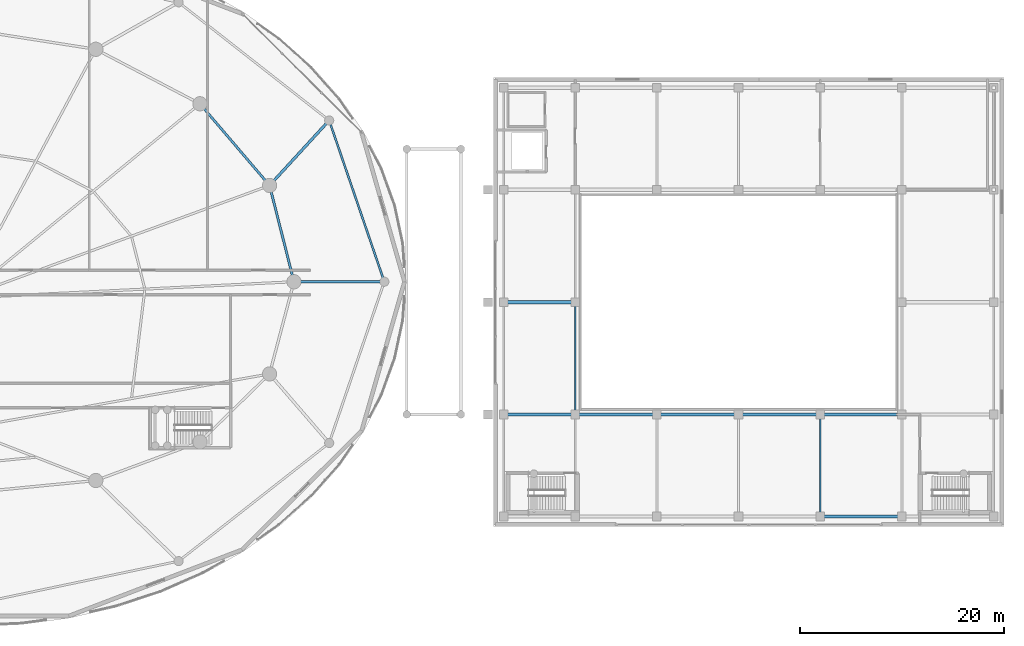
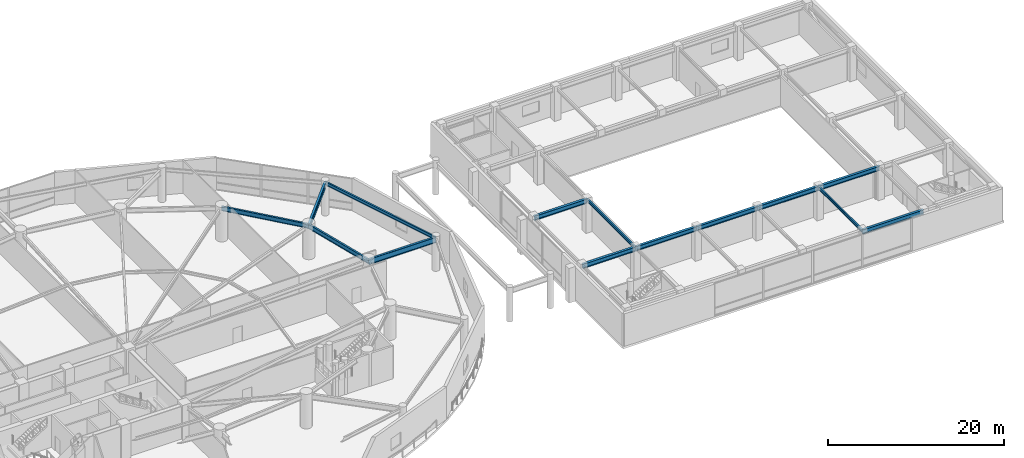
# One storey, part 15 of 40: 14 beams.
"""IFC4 building model written with IfcOpenShell, lengths in metres."""

from ifc_helpers import new_model, si_unit, direction, frame, origin, origin_2d, place, context, subcontext, project, spatial, i_section, extrude, material, material_profile, profile_set, type_object, element, save


model = new_model("IFC4")

# Units and contexts
model_context = context("Model", 3, precision=1e-05, world=origin(), true_north=direction((0.0, 1.0)))
body_context = subcontext(model_context, "Body", "Model", "MODEL_VIEW")
ifc_project = project(units=[si_unit("LENGTHUNIT", "METRE"), si_unit("AREAUNIT", "SQUARE_METRE"), si_unit("VOLUMEUNIT", "CUBIC_METRE"), si_unit("PLANEANGLEUNIT", "RADIAN"), si_unit("MASSUNIT", "GRAM", prefix="KILO")], contexts=[model_context])

# Site, building, storey
site_placement = place(None, origin())
site = spatial("IfcSite", under=ifc_project, at=site_placement, CompositionType="ELEMENT")
building_placement = place(site_placement, origin())
building = spatial("IfcBuilding", under=site, at=building_placement, Name="Kazevale Care Tower and Concert Hall", CompositionType="ELEMENT")
storey_placement = place(building_placement, frame((0.0, 0.0, 9.60009765625)))
storey = spatial("IfcBuildingStorey", under=building, at=storey_placement, Name="L02", CompositionType="ELEMENT", Elevation=9.60009765625)

# Beams
ifc_material = material(Name="Steel ASTM A572 Gr 50", Category="steel")
ifc_material_profile_1 = material_profile(ifc_material, i_section(OverallWidth=0.323974609375, OverallDepth=0.611083984375, WebThickness=0.0126953125, FlangeThickness=0.01904296875, at=origin_2d()), Name="W610x155")
ifc_profile_set_1 = profile_set([ifc_material_profile_1], Name="Steel ASTM A572 Gr 50")
beam_type_1 = type_object("IfcBeamType", Name="Concert Hall Frame Girder W610x155", PredefinedType="BEAM", material=ifc_profile_set_1)
beam_1_placement = place(storey_placement, frame((128.0, 15.0, 4.21435546875), z_axis=(1.0, 0.0, 0.0), x_axis=(0.0, 1.0, 0.0)))
element("IfcBeam", 1, at=beam_1_placement, inside=storey, type_object=beam_type_1, Name="beam:L02:hx:128_15", PredefinedType="BEAM", context=body_context, shape_type="SweptSolid", body=[
    extrude(i_section(OverallWidth=0.323974609375, OverallDepth=0.611083984375, WebThickness=0.0126953125, FlangeThickness=0.01904296875, at=origin_2d()), origin(), (0.0, 0.0, 1.0), 8.0),
])
beam_2_placement = place(storey_placement, frame((97.0, 25.0, 4.21435546875), z_axis=(1.0, 0.0, 0.0), x_axis=(0.0, 1.0, 0.0)))
element("IfcBeam", 2, at=beam_2_placement, inside=storey, type_object=beam_type_1, Name="beam:L02:hx:97_25", PredefinedType="BEAM", context=body_context, shape_type="SweptSolid", body=[
    extrude(i_section(OverallWidth=0.323974609375, OverallDepth=0.611083984375, WebThickness=0.0126953125, FlangeThickness=0.01904296875, at=origin_2d()), origin(), (0.0, 0.0, 1.0), 7.0),
])
for number, where, z_axis, x_axis, name in (
    (3, (104.0, 25.0, 4.21435546875), (1.0, 0.0, 0.0), (0.0, 1.0, 0.0), "beam:L02:hx:104_25"),
    (4, (112.0, 25.0, 4.21435546875), (1.0, 0.0, 0.0), (0.0, 1.0, 0.0), "beam:L02:hx:112_25"),
    (5, (120.0, 25.0, 4.21435546875), (1.0, 0.0, 0.0), (0.0, 1.0, 0.0), "beam:L02:hx:120_25"),
    (6, (128.0, 25.0, 4.21435546875), (1.0, 0.0, 0.0), (0.0, 1.0, 0.0), "beam:L02:hx:128_25"),
):
    element("IfcBeam", number, at=place(storey_placement, frame(where, z_axis=z_axis, x_axis=x_axis)), inside=storey, type_object=beam_type_1, Name=name, PredefinedType="BEAM", context=body_context, shape_type="SweptSolid", body=[
        extrude(i_section(OverallWidth=0.323974609375, OverallDepth=0.611083984375, WebThickness=0.0126953125, FlangeThickness=0.01904296875, at=origin_2d()), origin(), (0.0, 0.0, 1.0), 8.0),
    ])
beam_3_placement = place(storey_placement, frame((97.0, 36.0, 4.21435546875), z_axis=(1.0, 0.0, 0.0), x_axis=(0.0, 1.0, 0.0)))
element("IfcBeam", 7, at=beam_3_placement, inside=storey, type_object=beam_type_1, Name="beam:L02:hx:97_36", PredefinedType="BEAM", context=body_context, shape_type="SweptSolid", body=[
    extrude(i_section(OverallWidth=0.323974609375, OverallDepth=0.611083984375, WebThickness=0.0126953125, FlangeThickness=0.01904296875, at=origin_2d()), origin(), (0.0, 0.0, 1.0), 7.0),
])
ifc_material_profile_2 = material_profile(ifc_material, i_section(OverallWidth=0.180908203125, OverallDepth=0.4169921875, WebThickness=0.010986328125, FlangeThickness=0.018310546875, at=origin_2d()), Name="W410x85")
ifc_profile_set_2 = profile_set([ifc_material_profile_2], Name="Steel ASTM A572 Gr 50")
beam_type_2 = type_object("IfcBeamType", Name="Concert Hall Secondary Beam W410x85", PredefinedType="BEAM", material=ifc_profile_set_2)
beam_4_placement = place(storey_placement, frame((104.0, 25.0, 4.3115234375), z_axis=(0.0, 1.0, 0.0), x_axis=(-1.0, 0.0, 0.0)))
element("IfcBeam", 8, at=beam_4_placement, inside=storey, type_object=beam_type_2, Name="beam:L02:hy:104_25", PredefinedType="BEAM", context=body_context, shape_type="SweptSolid", body=[
    extrude(i_section(OverallWidth=0.180908203125, OverallDepth=0.4169921875, WebThickness=0.010986328125, FlangeThickness=0.018310546875, at=origin_2d()), origin(), (0.0, 0.0, 1.0), 11.0),
])
beam_5_placement = place(storey_placement, frame((128.0, 15.0, 4.3115234375), z_axis=(0.0, 1.0, 0.0), x_axis=(-1.0, 0.0, 0.0)))
element("IfcBeam", 9, at=beam_5_placement, inside=storey, type_object=beam_type_2, Name="beam:L02:hy:128_15", PredefinedType="BEAM", context=body_context, shape_type="SweptSolid", body=[
    extrude(i_section(OverallWidth=0.180908203125, OverallDepth=0.4169921875, WebThickness=0.010986328125, FlangeThickness=0.018310546875, at=origin_2d()), origin(), (0.0, 0.0, 1.0), 10.0),
])
ifc_material_profile_3 = material_profile(ifc_material, i_section(OverallWidth=0.194091796875, OverallDepth=0.468994140625, WebThickness=0.0126953125, FlangeThickness=0.0205078125, at=origin_2d()), Name="W460x106")
ifc_profile_set_3 = profile_set([ifc_material_profile_3], Name="Steel ASTM A572 Gr 50")
beam_type_3 = type_object("IfcBeamType", Name="Podium Floor Beam W460x106", PredefinedType="BEAM", material=ifc_profile_set_3)
beam_6_placement = place(storey_placement, frame((85.300048828125, 38.0, 4.285400390625), z_axis=(-0.323412440773, 0.946258100707, 0.0), x_axis=(-0.946258100707, -0.323412440773, 0.0)))
element("IfcBeam", 10, at=beam_6_placement, inside=storey, type_object=beam_type_3, Name="beam:L02:podring:01", PredefinedType="BEAM", context=body_context, shape_type="SweptSolid", body=[
    extrude(i_section(OverallWidth=0.194091796875, OverallDepth=0.468994140625, WebThickness=0.0126953125, FlangeThickness=0.0205078125, at=origin_2d()), origin(), (0.0, 0.0, 1.0), 16.697509765625),
])
ifc_material_profile_4 = material_profile(ifc_material, i_section(OverallWidth=0.26806640625, OverallDepth=0.77001953125, WebThickness=0.015625, FlangeThickness=0.025390625, at=origin_2d()), Name="W760x196")
ifc_profile_set_4 = profile_set([ifc_material_profile_4], Name="Steel ASTM A572 Gr 50")
beam_type_4 = type_object("IfcBeamType", Name="Podium Primary Girder W760x196", PredefinedType="BEAM", material=ifc_profile_set_4)
beam_7_placement = place(storey_placement, frame((76.449951171875, 38.0, 4.135009765625), z_axis=(1.0, 0.0, 0.0), x_axis=(0.0, 1.0, 0.0)))
element("IfcBeam", 11, at=beam_7_placement, inside=storey, type_object=beam_type_4, Name="beam:L02:podrad:01", PredefinedType="BEAM", context=body_context, shape_type="SweptSolid", body=[
    extrude(i_section(OverallWidth=0.26806640625, OverallDepth=0.77001953125, WebThickness=0.015625, FlangeThickness=0.025390625, at=origin_2d()), origin(), (0.0, 0.0, 1.0), 8.85009765625),
])
beam_8_placement = place(storey_placement, frame((74.06005859375, 47.429931640625, 4.135009765625), z_axis=(0.675760447671, 0.737121304375, 0.0), x_axis=(-0.737121304375, 0.675760447671, 0.0)))
element("IfcBeam", 12, at=beam_8_placement, inside=storey, type_object=beam_type_4, Name="beam:L02:podrad:02", PredefinedType="BEAM", context=body_context, shape_type="SweptSolid", body=[
    extrude(i_section(OverallWidth=0.26806640625, OverallDepth=0.77001953125, WebThickness=0.015625, FlangeThickness=0.025390625, at=origin_2d()), origin(), (0.0, 0.0, 1.0), 8.641845703125),
])
ifc_material_profile_5 = material_profile(ifc_material, i_section(OverallWidth=0.22900390625, OverallDepth=0.612060546875, WebThickness=0.011962890625, FlangeThickness=0.01953125, at=origin_2d()), Name="W610x125")
ifc_profile_set_5 = profile_set([ifc_material_profile_5], Name="Steel ASTM A572 Gr 50")
beam_type_5 = type_object("IfcBeamType", Name="Ring Spandrel Beam W610x125", PredefinedType="SPANDREL", material=ifc_profile_set_5)
beam_9_placement = place(storey_placement, frame((76.449951171875, 38.0, 4.2138671875), z_axis=(-0.245669948409, 0.969353535326, 0.0), x_axis=(-0.969353535326, -0.245669948409, 0.0)))
element("IfcBeam", 13, at=beam_9_placement, inside=storey, type_object=beam_type_5, Name="beam:L02:ring:01", PredefinedType="SPANDREL", context=body_context, shape_type="SweptSolid", body=[
    extrude(i_section(OverallWidth=0.22900390625, OverallDepth=0.612060546875, WebThickness=0.011962890625, FlangeThickness=0.01953125, at=origin_2d()), origin(), (0.0, 0.0, 1.0), 9.72802734375),
])
beam_10_placement = place(storey_placement, frame((74.06005859375, 47.429931640625, 4.2138671875), z_axis=(-0.648756004283, 0.760996482848, 0.0), x_axis=(-0.760996482848, -0.648756004283, 0.0)))
element("IfcBeam", 14, at=beam_10_placement, inside=storey, type_object=beam_type_5, Name="beam:L02:ring:02", PredefinedType="SPANDREL", context=body_context, shape_type="SweptSolid", body=[
    extrude(i_section(OverallWidth=0.22900390625, OverallDepth=0.612060546875, WebThickness=0.011962890625, FlangeThickness=0.01953125, at=origin_2d()), origin(), (0.0, 0.0, 1.0), 10.512451171875),
])

save(model, "model.ifc")
